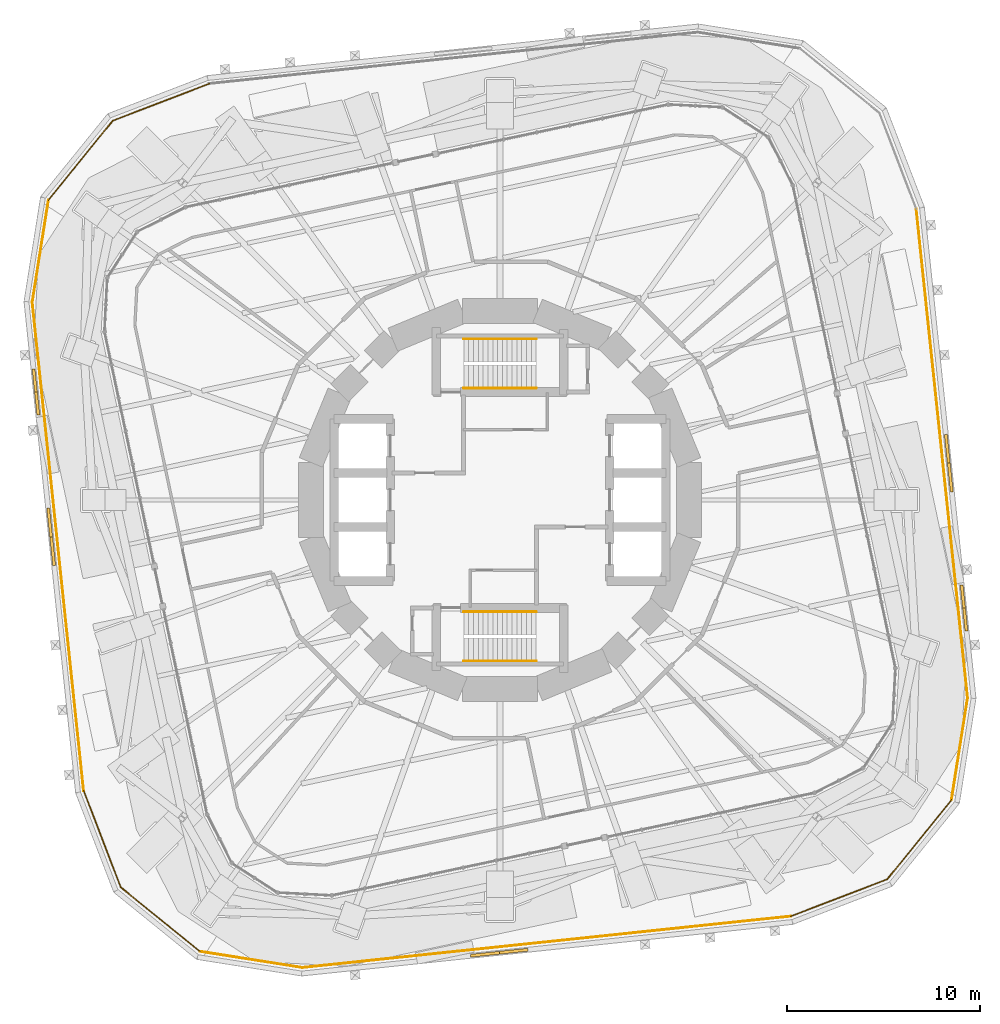
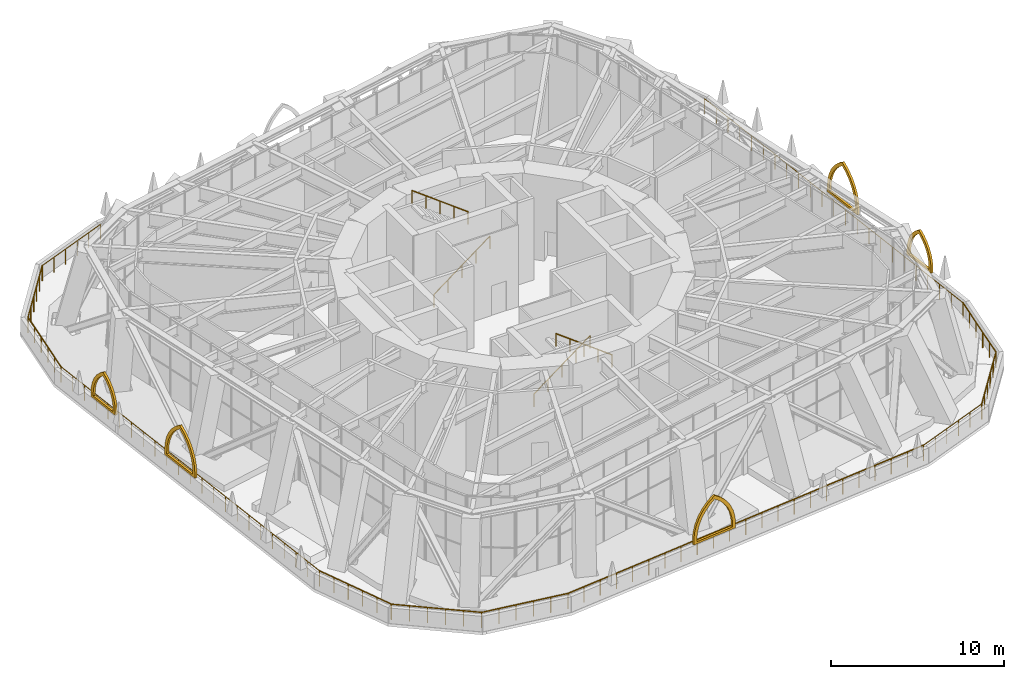
# One storey, part 18 of 23: 16 railings, 5 shading devices.
"""IFC4 building model written with IfcOpenShell, lengths in metres."""

import ifcopenshell
import ifcopenshell.guid

model = None  # the IFC model being written
_history = None  # IfcOwnerHistory: only IFC2X3 demands one
_inside = {}  # id of a spatial element -> (the spatial element, [elements in it])
_under = {}  # id of a project, library or spatial element -> (it, [spatial elements below it])
_declared = {}  # id of a project -> (the project, [libraries it declares])
_typed = {}  # id of a type object -> (the type object, [elements of that type])
_made_of = {}  # id of a material, layer set ... -> (it, [elements and type objects made of it])


def new_model(schema):
    """Start an empty IFC model of exactly this schema.

    Asked for "IFC4X3", IfcOpenShell would pick the latest addendum, in which some entities
    have other attributes; the version numbers below select the first issue.
    IFC2X3 requires an IfcOwnerHistory on every rooted entity: one is made here for all.
    """
    global model, _history
    if schema == "IFC4X3":
        model = ifcopenshell.file(schema_version=(4, 3, 0, 0))
    else:
        model = ifcopenshell.file(schema=schema)
    _inside.clear()
    _under.clear()
    _declared.clear()
    _typed.clear()
    _made_of.clear()
    _history = None
    if model.schema == "IFC2X3":
        org = make("IfcOrganization", Name="unknown")
        user = make(
            "IfcPersonAndOrganization",
            ThePerson=make("IfcPerson", FamilyName="unknown"),
            TheOrganization=org,
        )
        app = make(
            "IfcApplication",
            ApplicationDeveloper=org,
            Version="unknown",
            ApplicationFullName="unknown",
            ApplicationIdentifier="unknown",
        )
        _history = make(
            "IfcOwnerHistory",
            OwningUser=user,
            OwningApplication=app,
            ChangeAction="ADDED",
            CreationDate=0,
        )
    return model


def make(cls, **values):
    """One entity of the class cls with the attributes given. An attribute that is None is left unset."""
    return model.create_entity(
        cls, **{name: value for name, value in values.items() if value is not None}
    )


def rooted(cls, **values):
    """An entity with a GlobalId (a new one), such as an element, a storey or a relation."""
    return make(cls, GlobalId=ifcopenshell.guid.new(), OwnerHistory=_history, **values)


def si_unit(unit_type, name, prefix=None):
    """IfcSIUnit, for example si_unit("LENGTHUNIT", "METRE", prefix="MILLI")."""
    return make("IfcSIUnit", UnitType=unit_type, Prefix=prefix, Name=name)


def assignment(units):
    """IfcUnitAssignment: the units of a project."""
    return None if units is None else make("IfcUnitAssignment", Units=units)


def point(xyz):
    """IfcCartesianPoint."""
    return None if xyz is None else make("IfcCartesianPoint", Coordinates=xyz)


def direction(xyz):
    """IfcDirection."""
    return None if xyz is None else make("IfcDirection", DirectionRatios=xyz)


def frame(location, z_axis=None, x_axis=None):
    """IfcAxis2Placement3D, a coordinate frame: its origin and axes. An axis left out is left unset."""
    return make(
        "IfcAxis2Placement3D",
        Location=point(location),
        Axis=direction(z_axis),
        RefDirection=direction(x_axis),
    )


def frame_2d(location, x_axis=None):
    """IfcAxis2Placement2D, a coordinate frame in the plane: its origin and x axis."""
    return make(
        "IfcAxis2Placement2D", Location=point(location), RefDirection=direction(x_axis)
    )


def origin():
    """The frame at (0, 0, 0) with its axes left unset."""
    return frame((0.0, 0.0, 0.0))


def origin_2d():
    """The frame at (0, 0) in the plane with its x axis left unset."""
    return frame_2d((0.0, 0.0))


def place(relative_to, where):
    """IfcLocalPlacement: puts the frame where relative to a parent placement (None: the world)."""
    return make(
        "IfcLocalPlacement", PlacementRelTo=relative_to, RelativePlacement=where
    )


def context(
    kind, dimensions, precision=None, world=None, true_north=None, identifier=None
):
    """IfcGeometricRepresentationContext, for example the 3D "Model" context."""
    return make(
        "IfcGeometricRepresentationContext",
        ContextIdentifier=identifier,
        ContextType=kind,
        CoordinateSpaceDimension=dimensions,
        Precision=precision,
        WorldCoordinateSystem=world,
        TrueNorth=true_north,
    )


def subcontext(parent, identifier, kind, view, scale=None):
    """IfcGeometricRepresentationSubContext, for example "Body" below "Model"."""
    return make(
        "IfcGeometricRepresentationSubContext",
        ContextIdentifier=identifier,
        ContextType=kind,
        ParentContext=parent,
        TargetScale=scale,
        TargetView=view,
    )


def project(units=None, contexts=None):
    """IfcProject with its units and contexts."""
    return rooted(
        "IfcProject",
        Name="project",
        RepresentationContexts=contexts,
        UnitsInContext=assignment(units),
    )


def spatial(cls, under=None, at=None, **own):
    """A site, building, storey or space (cls), placed at a placement, below another one or the project."""
    s = rooted(cls, ObjectPlacement=at, **own)
    if under is not None:
        _under.setdefault(under.id(), (under, []))[1].append(s)
    return s


def polyline(points):
    """IfcPolyline through the points."""
    return make("IfcPolyline", Points=[point(p) for p in points])


def profile(cls, at=None, kind="AREA", **sizes):
    """A parametric profile (cls). Its sizes go by their IFC names, for example OverallWidth=200.0."""
    return make(cls, ProfileType=kind, Position=at, **sizes)


def circle(**sizes):
    """IfcCircleProfileDef."""
    return profile("IfcCircleProfileDef", **sizes)


def outline(outer, holes=None, kind="AREA"):
    """IfcArbitraryClosedProfileDef: a profile drawn as a closed curve; with holes, ...WithVoids."""
    if holes is None:
        return make("IfcArbitraryClosedProfileDef", ProfileType=kind, OuterCurve=outer)
    return make(
        "IfcArbitraryProfileDefWithVoids",
        ProfileType=kind,
        OuterCurve=outer,
        InnerCurves=holes,
    )


def extrude(swept, where, along, depth):
    """IfcExtrudedAreaSolid: the profile swept, set in the frame where, extruded along a direction by depth."""
    return make(
        "IfcExtrudedAreaSolid",
        SweptArea=swept,
        Position=where,
        ExtrudedDirection=direction(along),
        Depth=depth,
    )


def shape(context_of_items, identifier, shape_type, items):
    """IfcShapeRepresentation: the items that make up one representation, for example the "Body"."""
    return make(
        "IfcShapeRepresentation",
        ContextOfItems=context_of_items,
        RepresentationIdentifier=identifier,
        RepresentationType=shape_type,
        Items=items,
    )


def material(Name=None, Category=None):
    """IfcMaterial."""
    return make("IfcMaterial", Name=Name, Category=Category)


def made_of(thing, what):
    """Note that an element or type object is made of a material, layer set ...; save() writes the relation."""
    if what is not None:
        _made_of.setdefault(what.id(), (what, []))[1].append(thing)
    return thing


def type_object(cls, material=None, **own):
    """A type object (cls), such as IfcWallType, which elements share."""
    return made_of(rooted(cls, **own), material)


def element(
    cls,
    number,
    at=None,
    inside=None,
    cuts=None,
    type_object=None,
    material=None,
    context=None,
    identifier="Body",
    shape_type=None,
    held_by="IfcProductDefinitionShape",
    body=None,
    shapes=None,
    **own,
):
    """One element of the class cls, such as IfcWall. Its Tag is "e" and its number.

    at: its placement. inside: the storey or other place that contains it. cuts: it is an
    opening in that element (IfcRelVoidsElement). A single representation is given by context,
    identifier, shape_type and body (its items); several are given by shapes. held_by: the class
    of the entity that holds the representations. save() writes the other relations.
    """
    e = rooted(cls, Tag="e%d" % number, ObjectPlacement=at, **own)
    if body is not None:
        shapes = [shape(context, identifier, shape_type, body)]
    if shapes is not None:
        e.Representation = make(held_by, Representations=shapes)
    if inside is not None:
        _inside.setdefault(inside.id(), (inside, []))[1].append(e)
    if cuts is not None:
        rooted(
            "IfcRelVoidsElement", RelatingBuildingElement=cuts, RelatedOpeningElement=e
        )
    if type_object is not None:
        _typed.setdefault(type_object.id(), (type_object, []))[1].append(e)
    return made_of(e, material)


def aggregate(whole, parts):
    """IfcRelAggregates: a whole, such as a stair, and the parts it consists of."""
    return rooted("IfcRelAggregates", RelatingObject=whole, RelatedObjects=parts)


def save(model, path):
    """Write the relations noted so far, then the file.

    IfcRelAggregates (storeys below a building ...), IfcRelContainedInSpatialStructure (elements
    in a storey), IfcRelDefinesByType, IfcRelAssociatesMaterial and IfcRelDeclares: one each for
    every whole, place, type object, material and project.
    """
    for whole, parts in _under.values():
        aggregate(whole, parts)
    for where, things in _inside.values():
        rooted(
            "IfcRelContainedInSpatialStructure",
            RelatedElements=things,
            RelatingStructure=where,
        )
    for kind, things in _typed.values():
        rooted("IfcRelDefinesByType", RelatedObjects=things, RelatingType=kind)
    for what, things in _made_of.values():
        rooted("IfcRelAssociatesMaterial", RelatedObjects=things, RelatingMaterial=what)
    for by, libraries in _declared.values():
        rooted("IfcRelDeclares", RelatingContext=by, RelatedDefinitions=libraries)
    model.write(path)


model = new_model("IFC4")

# Units and contexts
model_context = context("Model", 3, precision=1e-05, world=origin(), true_north=direction((0.0, 1.0)))
body_context = subcontext(model_context, "Body", "Model", "MODEL_VIEW")
ifc_project = project(units=[si_unit("LENGTHUNIT", "METRE"), si_unit("AREAUNIT", "SQUARE_METRE"), si_unit("VOLUMEUNIT", "CUBIC_METRE"), si_unit("PLANEANGLEUNIT", "RADIAN"), si_unit("MASSUNIT", "GRAM", prefix="KILO")], contexts=[model_context])

# Site, building, storey
site_placement = place(None, origin())
site = spatial("IfcSite", under=ifc_project, at=site_placement, CompositionType="ELEMENT")
building_placement = place(site_placement, origin())
building = spatial("IfcBuilding", under=site, at=building_placement, Name="Nakasero Lantern House", CompositionType="ELEMENT")
storey_placement = place(building_placement, frame((0.0, 0.0, 95.14990234375)))
storey = spatial("IfcBuildingStorey", under=building, at=storey_placement, Name="L23", CompositionType="ELEMENT", Elevation=95.14990234375)

# Shading devices
ifc_material_1 = material(Name="Aluminium 6063-T6", Category="aluminium")
shading_device_type_1 = type_object("IfcShadingDeviceType", Name="Lancet screen 2400", PredefinedType="USERDEFINED", material=ifc_material_1)
for number, where, z_axis, x_axis, name in (
    (1, (24.067626953125, -5.603759765625, 1.10009765625), (0.0, 0.0, 1.0), (-0.104528463, 0.994521895, 0.0), "Tracery screen L23 0-00"),
    (2, (-24.067626953125, 5.603759765625, 1.10009765625), (0.0, 0.0, 1.0), (0.104528463, -0.994521895, 0.0), "Tracery screen L23 2-00"),
):
    element("IfcShadingDevice", number, at=place(storey_placement, frame(where, z_axis=z_axis, x_axis=x_axis)), inside=storey, type_object=shading_device_type_1, Name=name, ObjectType="LANCET SCREEN", PredefinedType="USERDEFINED", context=body_context, shape_type="SweptSolid", body=[
        extrude(outline(polyline([(-1.199951171875, 0.0), (1.199951171875, 0.0), (1.199951171875, 0.300048828125), (1.16357421875, 0.716796875), (1.05517578125, 1.120849609375), (0.87841796875, 1.5), (0.638427734375, 1.8427734375), (0.3427734375, 2.138427734375), (0.0, 2.37841796875), (-0.3427734375, 2.138427734375), (-0.638427734375, 1.8427734375), (-0.87841796875, 1.5), (-1.05517578125, 1.120849609375), (-1.16357421875, 0.716796875), (-1.199951171875, 0.300048828125), (-1.199951171875, 0.0)]), holes=[polyline([(-0.97998046875, 0.14990234375), (0.97998046875, 0.14990234375), (0.97998046875, 0.300048828125), (0.950439453125, 0.6572265625), (0.86279296875, 1.0048828125), (0.719482421875, 1.33349609375), (0.524169921875, 1.63427734375), (0.281982421875, 1.898681640625), (0.0, 2.1201171875), (-0.281982421875, 1.898681640625), (-0.524169921875, 1.63427734375), (-0.719482421875, 1.33349609375), (-0.86279296875, 1.0048828125), (-0.950439453125, 0.6572265625), (-0.97998046875, 0.300048828125), (-0.97998046875, 0.14990234375)])]), frame((0.0, 0.074951171875, 0.0), z_axis=(0.0, -1.0, 0.0), x_axis=(1.0, 0.0, 0.0)), (0.0, 0.0, 1.0), 0.14990234375),
    ])
ifc_material_2 = material(Name="Aluminium 6063-T6", Category="aluminium")
shading_device_type_2 = type_object("IfcShadingDeviceType", Name="Lancet screen 3000", PredefinedType="USERDEFINED", material=ifc_material_2)
for number, where, z_axis, x_axis, name in (
    (3, (23.27734375, 1.91455078125, 1.10009765625), (0.0, 0.0, 1.0), (-0.104528463, 0.994521895, 0.0), "Tracery screen L23 0-01"),
    (4, (-23.27734375, -1.91455078125, 1.10009765625), (0.0, 0.0, 1.0), (0.104528463, -0.994521895, 0.0), "Tracery screen L23 2-01"),
    (5, (-0.035400390625, -23.482421875, 1.10009765625), (0.0, 0.0, 1.0), (0.994521895, 0.104528463, 0.0), "Tracery screen L23 3-00"),
):
    element("IfcShadingDevice", number, at=place(storey_placement, frame(where, z_axis=z_axis, x_axis=x_axis)), inside=storey, type_object=shading_device_type_2, Name=name, ObjectType="LANCET SCREEN", PredefinedType="USERDEFINED", context=body_context, shape_type="SweptSolid", body=[
        extrude(outline(polyline([(-1.5, 0.0), (1.5, 0.0), (1.5, 0.300048828125), (1.454345703125, 0.821044921875), (1.319091796875, 1.326171875), (1.09814453125, 1.800048828125), (0.798095703125, 2.228271484375), (0.428466796875, 2.59814453125), (0.0, 2.898193359375), (-0.428466796875, 2.59814453125), (-0.798095703125, 2.228271484375), (-1.09814453125, 1.800048828125), (-1.319091796875, 1.326171875), (-1.454345703125, 0.821044921875), (-1.5, 0.300048828125), (-1.5, 0.0)]), holes=[polyline([(-1.280029296875, 0.14990234375), (1.280029296875, 0.14990234375), (1.280029296875, 0.300048828125), (1.241455078125, 0.761474609375), (1.126708984375, 1.21044921875), (0.939208984375, 1.6337890625), (0.683837890625, 2.020263671875), (0.367919921875, 2.359130859375), (0.0, 2.640625), (-0.367919921875, 2.359130859375), (-0.683837890625, 2.020263671875), (-0.939208984375, 1.6337890625), (-1.126708984375, 1.21044921875), (-1.241455078125, 0.761474609375), (-1.280029296875, 0.300048828125), (-1.280029296875, 0.14990234375)])]), frame((0.0, 0.074951171875, 0.0), z_axis=(0.0, -1.0, 0.0), x_axis=(1.0, 0.0, 0.0)), (0.0, 0.0, 1.0), 0.14990234375),
    ])

# Railings
ifc_material_3 = material(Name="Aluminium 6063-T6", Category="aluminium")
railing_type_1 = type_object("IfcRailingType", Name="Sky garden guard 1100", PredefinedType="GUARDRAIL", material=ifc_material_3)
railing_1_placement = place(storey_placement, frame((-24.255615234375, 10.261474609375, 0.0)))
element("IfcRailing", 6, at=railing_1_placement, inside=storey, type_object=railing_type_1, Name="Sky garden guard L23 1", PredefinedType="GUARDRAIL", context=body_context, shape_type="SweptSolid", body=[
    extrude(circle(Radius=0.02392578125, at=origin_2d()), frame((0.0, 0.0, 1.076171875), z_axis=(0.156444479459, 0.987686754415, 0.0), x_axis=(-0.987686754415, 0.156444479459, 0.0)), (0.0, 0.0, 1.0), 5.35888671875),
    extrude(circle(Radius=0.02099609375, at=origin_2d()), origin(), (0.0, 0.0, 1.0), 1.052001953125),
    extrude(circle(Radius=0.02099609375, at=origin_2d()), frame((0.167724609375, 1.05859375, 0.0)), (0.0, 0.0, 1.0), 1.052001953125),
    extrude(circle(Radius=0.02099609375, at=origin_2d()), frame((0.33544921875, 2.1171875, 0.0)), (0.0, 0.0, 1.0), 1.052001953125),
    extrude(circle(Radius=0.02099609375, at=origin_2d()), frame((0.5029296875, 3.17578125, 0.0)), (0.0, 0.0, 1.0), 1.052001953125),
    extrude(circle(Radius=0.02099609375, at=origin_2d()), frame((0.670654296875, 4.234375, 0.0)), (0.0, 0.0, 1.0), 1.052001953125),
    extrude(circle(Radius=0.02099609375, at=origin_2d()), frame((0.83837890625, 5.29296875, 0.0)), (0.0, 0.0, 1.0), 1.052001953125),
])
railing_2_placement = place(storey_placement, frame((-23.417236328125, 15.554443359375, 0.0)))
element("IfcRailing", 7, at=railing_2_placement, inside=storey, type_object=railing_type_1, Name="Sky garden guard L23 2", PredefinedType="GUARDRAIL", context=body_context, shape_type="SweptSolid", body=[
    extrude(circle(Radius=0.02392578125, at=origin_2d()), frame((0.0, 0.0, 1.076171875), z_axis=(0.629337420675, 0.777132170829, 0.0), x_axis=(-0.777132170829, 0.629337420675, 0.0)), (0.0, 0.0, 1.0), 5.297607421875),
    extrude(circle(Radius=0.02099609375, at=origin_2d()), origin(), (0.0, 0.0, 1.0), 1.052001953125),
    extrude(circle(Radius=0.02099609375, at=origin_2d()), frame((0.666748046875, 0.823486328125, 0.0)), (0.0, 0.0, 1.0), 1.052001953125),
    extrude(circle(Radius=0.02099609375, at=origin_2d()), frame((1.33349609375, 1.646728515625, 0.0)), (0.0, 0.0, 1.0), 1.052001953125),
    extrude(circle(Radius=0.02099609375, at=origin_2d()), frame((2.00048828125, 2.47021484375, 0.0)), (0.0, 0.0, 1.0), 1.052001953125),
    extrude(circle(Radius=0.02099609375, at=origin_2d()), frame((2.667236328125, 3.29345703125, 0.0)), (0.0, 0.0, 1.0), 1.052001953125),
    extrude(circle(Radius=0.02099609375, at=origin_2d()), frame((3.333984375, 4.116943359375, 0.0)), (0.0, 0.0, 1.0), 1.052001953125),
])
railing_3_placement = place(storey_placement, frame((-21.592041015625, -15.080322265625, 0.0)))
element("IfcRailing", 8, at=railing_3_placement, inside=storey, type_object=railing_type_1, Name="Sky garden guard L23 3", PredefinedType="GUARDRAIL", context=body_context, shape_type="SweptSolid", body=[
    extrude(circle(Radius=0.02392578125, at=origin_2d()), frame((0.0, 0.0, 1.076171875), z_axis=(-0.104530172624, 0.994521715706, 0.0), x_axis=(-0.994521715706, -0.104530172624, 0.0)), (0.0, 0.0, 1.0), 25.4814453125),
    extrude(circle(Radius=0.02099609375, at=origin_2d()), origin(), (0.0, 0.0, 1.0), 1.052001953125),
    extrude(circle(Radius=0.02099609375, at=origin_2d()), frame((-0.12109375, 1.15185546875, 0.0)), (0.0, 0.0, 1.0), 1.052001953125),
    extrude(circle(Radius=0.02099609375, at=origin_2d()), frame((-0.2421875, 2.3037109375, 0.0)), (0.0, 0.0, 1.0), 1.052001953125),
    extrude(circle(Radius=0.02099609375, at=origin_2d()), frame((-0.36328125, 3.455810546875, 0.0)), (0.0, 0.0, 1.0), 1.052001953125),
    extrude(circle(Radius=0.02099609375, at=origin_2d()), frame((-0.484375, 4.607666015625, 0.0)), (0.0, 0.0, 1.0), 1.052001953125),
    extrude(circle(Radius=0.02099609375, at=origin_2d()), frame((-0.60546875, 5.759521484375, 0.0)), (0.0, 0.0, 1.0), 1.052001953125),
    extrude(circle(Radius=0.02099609375, at=origin_2d()), frame((-0.726318359375, 6.911376953125, 0.0)), (0.0, 0.0, 1.0), 1.052001953125),
    extrude(circle(Radius=0.02099609375, at=origin_2d()), frame((-0.847412109375, 8.063232421875, 0.0)), (0.0, 0.0, 1.0), 1.052001953125),
    extrude(circle(Radius=0.02099609375, at=origin_2d()), frame((-0.968505859375, 9.215087890625, 0.0)), (0.0, 0.0, 1.0), 1.052001953125),
    extrude(circle(Radius=0.02099609375, at=origin_2d()), frame((-1.089599609375, 10.3671875, 0.0)), (0.0, 0.0, 1.0), 1.052001953125),
    extrude(circle(Radius=0.02099609375, at=origin_2d()), frame((-1.210693359375, 11.51904296875, 0.0)), (0.0, 0.0, 1.0), 1.052001953125),
    extrude(circle(Radius=0.02099609375, at=origin_2d()), frame((-1.331787109375, 12.6708984375, 0.0)), (0.0, 0.0, 1.0), 1.052001953125),
    extrude(circle(Radius=0.02099609375, at=origin_2d()), frame((-1.452880859375, 13.82275390625, 0.0)), (0.0, 0.0, 1.0), 1.052001953125),
    extrude(circle(Radius=0.02099609375, at=origin_2d()), frame((-1.573974609375, 14.974609375, 0.0)), (0.0, 0.0, 1.0), 1.052001953125),
    extrude(circle(Radius=0.02099609375, at=origin_2d()), frame((-1.695068359375, 16.126708984375, 0.0)), (0.0, 0.0, 1.0), 1.052001953125),
    extrude(circle(Radius=0.02099609375, at=origin_2d()), frame((-1.816162109375, 17.278564453125, 0.0)), (0.0, 0.0, 1.0), 1.052001953125),
    extrude(circle(Radius=0.02099609375, at=origin_2d()), frame((-1.937255859375, 18.430419921875, 0.0)), (0.0, 0.0, 1.0), 1.052001953125),
    extrude(circle(Radius=0.02099609375, at=origin_2d()), frame((-2.05810546875, 19.582275390625, 0.0)), (0.0, 0.0, 1.0), 1.052001953125),
    extrude(circle(Radius=0.02099609375, at=origin_2d()), frame((-2.17919921875, 20.734130859375, 0.0)), (0.0, 0.0, 1.0), 1.052001953125),
    extrude(circle(Radius=0.02099609375, at=origin_2d()), frame((-2.30029296875, 21.885986328125, 0.0)), (0.0, 0.0, 1.0), 1.052001953125),
    extrude(circle(Radius=0.02099609375, at=origin_2d()), frame((-2.42138671875, 23.0380859375, 0.0)), (0.0, 0.0, 1.0), 1.052001953125),
    extrude(circle(Radius=0.02099609375, at=origin_2d()), frame((-2.54248046875, 24.18994140625, 0.0)), (0.0, 0.0, 1.0), 1.052001953125),
    extrude(circle(Radius=0.02099609375, at=origin_2d()), frame((-2.66357421875, 25.341796875, 0.0)), (0.0, 0.0, 1.0), 1.052001953125),
])
railing_4_placement = place(storey_placement, frame((-20.083251953125, 19.67138671875, 0.0)))
element("IfcRailing", 9, at=railing_4_placement, inside=storey, type_object=railing_type_1, Name="Sky garden guard L23 4", PredefinedType="GUARDRAIL", context=body_context, shape_type="SweptSolid", body=[
    extrude(circle(Radius=0.02392578125, at=origin_2d()), frame((0.0, 0.0, 1.076171875), z_axis=(0.933567345274, 0.358402025438, 0.0), x_axis=(-0.358402025438, 0.933567345274, 0.0)), (0.0, 0.0, 1.0), 5.35888671875),
    extrude(circle(Radius=0.02099609375, at=origin_2d()), origin(), (0.0, 0.0, 1.0), 1.052001953125),
    extrude(circle(Radius=0.02099609375, at=origin_2d()), frame((1.00048828125, 0.384033203125, 0.0)), (0.0, 0.0, 1.0), 1.052001953125),
    extrude(circle(Radius=0.02099609375, at=origin_2d()), frame((2.001220703125, 0.768310546875, 0.0)), (0.0, 0.0, 1.0), 1.052001953125),
    extrude(circle(Radius=0.02099609375, at=origin_2d()), frame((3.001708984375, 1.15234375, 0.0)), (0.0, 0.0, 1.0), 1.052001953125),
    extrude(circle(Radius=0.02099609375, at=origin_2d()), frame((4.00244140625, 1.53662109375, 0.0)), (0.0, 0.0, 1.0), 1.052001953125),
    extrude(circle(Radius=0.02099609375, at=origin_2d()), frame((5.0029296875, 1.920654296875, 0.0)), (0.0, 0.0, 1.0), 1.052001953125),
])
railing_5_placement = place(storey_placement, frame((-19.67138671875, -20.083251953125, 0.0)))
element("IfcRailing", 10, at=railing_5_placement, inside=storey, type_object=railing_type_1, Name="Sky garden guard L23 5", PredefinedType="GUARDRAIL", context=body_context, shape_type="SweptSolid", body=[
    extrude(circle(Radius=0.02392578125, at=origin_2d()), frame((0.0, 0.0, 1.076171875), z_axis=(-0.358402025438, 0.933567345274, 0.0), x_axis=(-0.933567345274, -0.358402025438, 0.0)), (0.0, 0.0, 1.0), 5.35888671875),
    extrude(circle(Radius=0.02099609375, at=origin_2d()), origin(), (0.0, 0.0, 1.0), 1.052001953125),
    extrude(circle(Radius=0.02099609375, at=origin_2d()), frame((-0.384033203125, 1.00048828125, 0.0)), (0.0, 0.0, 1.0), 1.052001953125),
    extrude(circle(Radius=0.02099609375, at=origin_2d()), frame((-0.768310546875, 2.001220703125, 0.0)), (0.0, 0.0, 1.0), 1.052001953125),
    extrude(circle(Radius=0.02099609375, at=origin_2d()), frame((-1.15234375, 3.001708984375, 0.0)), (0.0, 0.0, 1.0), 1.052001953125),
    extrude(circle(Radius=0.02099609375, at=origin_2d()), frame((-1.53662109375, 4.00244140625, 0.0)), (0.0, 0.0, 1.0), 1.052001953125),
    extrude(circle(Radius=0.02099609375, at=origin_2d()), frame((-1.920654296875, 5.0029296875, 0.0)), (0.0, 0.0, 1.0), 1.052001953125),
])
railing_6_placement = place(storey_placement, frame((-15.554443359375, -23.417236328125, 0.0)))
element("IfcRailing", 11, at=railing_6_placement, inside=storey, type_object=railing_type_1, Name="Sky garden guard L23 6", PredefinedType="GUARDRAIL", context=body_context, shape_type="SweptSolid", body=[
    extrude(circle(Radius=0.02392578125, at=origin_2d()), frame((0.0, 0.0, 1.076171875), z_axis=(-0.777132170829, 0.629337420675, 0.0), x_axis=(-0.629337420675, -0.777132170829, 0.0)), (0.0, 0.0, 1.0), 5.297607421875),
    extrude(circle(Radius=0.02099609375, at=origin_2d()), origin(), (0.0, 0.0, 1.0), 1.052001953125),
    extrude(circle(Radius=0.02099609375, at=origin_2d()), frame((-0.823486328125, 0.666748046875, 0.0)), (0.0, 0.0, 1.0), 1.052001953125),
    extrude(circle(Radius=0.02099609375, at=origin_2d()), frame((-1.646728515625, 1.33349609375, 0.0)), (0.0, 0.0, 1.0), 1.052001953125),
    extrude(circle(Radius=0.02099609375, at=origin_2d()), frame((-2.47021484375, 2.00048828125, 0.0)), (0.0, 0.0, 1.0), 1.052001953125),
    extrude(circle(Radius=0.02099609375, at=origin_2d()), frame((-3.29345703125, 2.667236328125, 0.0)), (0.0, 0.0, 1.0), 1.052001953125),
    extrude(circle(Radius=0.02099609375, at=origin_2d()), frame((-4.116943359375, 3.333984375, 0.0)), (0.0, 0.0, 1.0), 1.052001953125),
])
railing_7_placement = place(storey_placement, frame((-10.261474609375, -24.255615234375, 0.0)))
element("IfcRailing", 12, at=railing_7_placement, inside=storey, type_object=railing_type_1, Name="Sky garden guard L23 8", PredefinedType="GUARDRAIL", context=body_context, shape_type="SweptSolid", body=[
    extrude(circle(Radius=0.02392578125, at=origin_2d()), frame((0.0, 0.0, 1.076171875), z_axis=(-0.987686754415, 0.156444479459, 0.0), x_axis=(-0.156444479459, -0.987686754415, 0.0)), (0.0, 0.0, 1.0), 5.35888671875),
    extrude(circle(Radius=0.02099609375, at=origin_2d()), origin(), (0.0, 0.0, 1.0), 1.052001953125),
    extrude(circle(Radius=0.02099609375, at=origin_2d()), frame((-1.05859375, 0.167724609375, 0.0)), (0.0, 0.0, 1.0), 1.052001953125),
    extrude(circle(Radius=0.02099609375, at=origin_2d()), frame((-2.1171875, 0.33544921875, 0.0)), (0.0, 0.0, 1.0), 1.052001953125),
    extrude(circle(Radius=0.02099609375, at=origin_2d()), frame((-3.17578125, 0.5029296875, 0.0)), (0.0, 0.0, 1.0), 1.052001953125),
    extrude(circle(Radius=0.02099609375, at=origin_2d()), frame((-4.234375, 0.670654296875, 0.0)), (0.0, 0.0, 1.0), 1.052001953125),
    extrude(circle(Radius=0.02099609375, at=origin_2d()), frame((-5.29296875, 0.83837890625, 0.0)), (0.0, 0.0, 1.0), 1.052001953125),
])
railing_8_placement = place(storey_placement, frame((15.080322265625, -21.592041015625, 0.0)))
element("IfcRailing", 13, at=railing_8_placement, inside=storey, type_object=railing_type_1, Name="Sky garden guard L23 10", PredefinedType="GUARDRAIL", context=body_context, shape_type="SweptSolid", body=[
    extrude(circle(Radius=0.02392578125, at=origin_2d()), frame((0.0, 0.0, 1.076171875), z_axis=(-0.994521715706, -0.104530172624, 0.0), x_axis=(0.104530172624, -0.994521715706, 0.0)), (0.0, 0.0, 1.0), 25.4814453125),
    extrude(circle(Radius=0.02099609375, at=origin_2d()), origin(), (0.0, 0.0, 1.0), 1.052001953125),
    extrude(circle(Radius=0.02099609375, at=origin_2d()), frame((-1.15185546875, -0.12109375, 0.0)), (0.0, 0.0, 1.0), 1.052001953125),
    extrude(circle(Radius=0.02099609375, at=origin_2d()), frame((-2.3037109375, -0.2421875, 0.0)), (0.0, 0.0, 1.0), 1.052001953125),
    extrude(circle(Radius=0.02099609375, at=origin_2d()), frame((-3.455810546875, -0.36328125, 0.0)), (0.0, 0.0, 1.0), 1.052001953125),
    extrude(circle(Radius=0.02099609375, at=origin_2d()), frame((-4.607666015625, -0.484375, 0.0)), (0.0, 0.0, 1.0), 1.052001953125),
    extrude(circle(Radius=0.02099609375, at=origin_2d()), frame((-5.759521484375, -0.60546875, 0.0)), (0.0, 0.0, 1.0), 1.052001953125),
    extrude(circle(Radius=0.02099609375, at=origin_2d()), frame((-6.911376953125, -0.726318359375, 0.0)), (0.0, 0.0, 1.0), 1.052001953125),
    extrude(circle(Radius=0.02099609375, at=origin_2d()), frame((-8.063232421875, -0.847412109375, 0.0)), (0.0, 0.0, 1.0), 1.052001953125),
    extrude(circle(Radius=0.02099609375, at=origin_2d()), frame((-9.215087890625, -0.968505859375, 0.0)), (0.0, 0.0, 1.0), 1.052001953125),
    extrude(circle(Radius=0.02099609375, at=origin_2d()), frame((-10.3671875, -1.089599609375, 0.0)), (0.0, 0.0, 1.0), 1.052001953125),
    extrude(circle(Radius=0.02099609375, at=origin_2d()), frame((-11.51904296875, -1.210693359375, 0.0)), (0.0, 0.0, 1.0), 1.052001953125),
    extrude(circle(Radius=0.02099609375, at=origin_2d()), frame((-12.6708984375, -1.331787109375, 0.0)), (0.0, 0.0, 1.0), 1.052001953125),
    extrude(circle(Radius=0.02099609375, at=origin_2d()), frame((-13.82275390625, -1.452880859375, 0.0)), (0.0, 0.0, 1.0), 1.052001953125),
    extrude(circle(Radius=0.02099609375, at=origin_2d()), frame((-14.974609375, -1.573974609375, 0.0)), (0.0, 0.0, 1.0), 1.052001953125),
    extrude(circle(Radius=0.02099609375, at=origin_2d()), frame((-16.126708984375, -1.695068359375, 0.0)), (0.0, 0.0, 1.0), 1.052001953125),
    extrude(circle(Radius=0.02099609375, at=origin_2d()), frame((-17.278564453125, -1.816162109375, 0.0)), (0.0, 0.0, 1.0), 1.052001953125),
    extrude(circle(Radius=0.02099609375, at=origin_2d()), frame((-18.430419921875, -1.937255859375, 0.0)), (0.0, 0.0, 1.0), 1.052001953125),
    extrude(circle(Radius=0.02099609375, at=origin_2d()), frame((-19.582275390625, -2.05810546875, 0.0)), (0.0, 0.0, 1.0), 1.052001953125),
    extrude(circle(Radius=0.02099609375, at=origin_2d()), frame((-20.734130859375, -2.17919921875, 0.0)), (0.0, 0.0, 1.0), 1.052001953125),
    extrude(circle(Radius=0.02099609375, at=origin_2d()), frame((-21.885986328125, -2.30029296875, 0.0)), (0.0, 0.0, 1.0), 1.052001953125),
    extrude(circle(Radius=0.02099609375, at=origin_2d()), frame((-23.0380859375, -2.42138671875, 0.0)), (0.0, 0.0, 1.0), 1.052001953125),
    extrude(circle(Radius=0.02099609375, at=origin_2d()), frame((-24.18994140625, -2.54248046875, 0.0)), (0.0, 0.0, 1.0), 1.052001953125),
    extrude(circle(Radius=0.02099609375, at=origin_2d()), frame((-25.341796875, -2.66357421875, 0.0)), (0.0, 0.0, 1.0), 1.052001953125),
])
railing_9_placement = place(storey_placement, frame((20.083251953125, -19.67138671875, 0.0)))
element("IfcRailing", 14, at=railing_9_placement, inside=storey, type_object=railing_type_1, Name="Sky garden guard L23 13", PredefinedType="GUARDRAIL", context=body_context, shape_type="SweptSolid", body=[
    extrude(circle(Radius=0.02392578125, at=origin_2d()), frame((0.0, 0.0, 1.076171875), z_axis=(-0.933567345274, -0.358402025438, 0.0), x_axis=(0.358402025438, -0.933567345274, 0.0)), (0.0, 0.0, 1.0), 5.35888671875),
    extrude(circle(Radius=0.02099609375, at=origin_2d()), origin(), (0.0, 0.0, 1.0), 1.052001953125),
    extrude(circle(Radius=0.02099609375, at=origin_2d()), frame((-1.00048828125, -0.384033203125, 0.0)), (0.0, 0.0, 1.0), 1.052001953125),
    extrude(circle(Radius=0.02099609375, at=origin_2d()), frame((-2.001220703125, -0.768310546875, 0.0)), (0.0, 0.0, 1.0), 1.052001953125),
    extrude(circle(Radius=0.02099609375, at=origin_2d()), frame((-3.001708984375, -1.15234375, 0.0)), (0.0, 0.0, 1.0), 1.052001953125),
    extrude(circle(Radius=0.02099609375, at=origin_2d()), frame((-4.00244140625, -1.53662109375, 0.0)), (0.0, 0.0, 1.0), 1.052001953125),
    extrude(circle(Radius=0.02099609375, at=origin_2d()), frame((-5.0029296875, -1.920654296875, 0.0)), (0.0, 0.0, 1.0), 1.052001953125),
])
railing_10_placement = place(storey_placement, frame((21.592041015625, 15.080322265625, 0.0)))
element("IfcRailing", 15, at=railing_10_placement, inside=storey, type_object=railing_type_1, Name="Sky garden guard L23 14", PredefinedType="GUARDRAIL", context=body_context, shape_type="SweptSolid", body=[
    extrude(circle(Radius=0.02392578125, at=origin_2d()), frame((0.0, 0.0, 1.076171875), z_axis=(0.104530172624, -0.994521715706, 0.0), x_axis=(0.994521715706, 0.104530172624, 0.0)), (0.0, 0.0, 1.0), 25.4814453125),
    extrude(circle(Radius=0.02099609375, at=origin_2d()), origin(), (0.0, 0.0, 1.0), 1.052001953125),
    extrude(circle(Radius=0.02099609375, at=origin_2d()), frame((0.12109375, -1.15185546875, 0.0)), (0.0, 0.0, 1.0), 1.052001953125),
    extrude(circle(Radius=0.02099609375, at=origin_2d()), frame((0.2421875, -2.3037109375, 0.0)), (0.0, 0.0, 1.0), 1.052001953125),
    extrude(circle(Radius=0.02099609375, at=origin_2d()), frame((0.36328125, -3.455810546875, 0.0)), (0.0, 0.0, 1.0), 1.052001953125),
    extrude(circle(Radius=0.02099609375, at=origin_2d()), frame((0.484375, -4.607666015625, 0.0)), (0.0, 0.0, 1.0), 1.052001953125),
    extrude(circle(Radius=0.02099609375, at=origin_2d()), frame((0.60546875, -5.759521484375, 0.0)), (0.0, 0.0, 1.0), 1.052001953125),
    extrude(circle(Radius=0.02099609375, at=origin_2d()), frame((0.726318359375, -6.911376953125, 0.0)), (0.0, 0.0, 1.0), 1.052001953125),
    extrude(circle(Radius=0.02099609375, at=origin_2d()), frame((0.847412109375, -8.063232421875, 0.0)), (0.0, 0.0, 1.0), 1.052001953125),
    extrude(circle(Radius=0.02099609375, at=origin_2d()), frame((0.968505859375, -9.215087890625, 0.0)), (0.0, 0.0, 1.0), 1.052001953125),
    extrude(circle(Radius=0.02099609375, at=origin_2d()), frame((1.089599609375, -10.3671875, 0.0)), (0.0, 0.0, 1.0), 1.052001953125),
    extrude(circle(Radius=0.02099609375, at=origin_2d()), frame((1.210693359375, -11.51904296875, 0.0)), (0.0, 0.0, 1.0), 1.052001953125),
    extrude(circle(Radius=0.02099609375, at=origin_2d()), frame((1.331787109375, -12.6708984375, 0.0)), (0.0, 0.0, 1.0), 1.052001953125),
    extrude(circle(Radius=0.02099609375, at=origin_2d()), frame((1.452880859375, -13.82275390625, 0.0)), (0.0, 0.0, 1.0), 1.052001953125),
    extrude(circle(Radius=0.02099609375, at=origin_2d()), frame((1.573974609375, -14.974609375, 0.0)), (0.0, 0.0, 1.0), 1.052001953125),
    extrude(circle(Radius=0.02099609375, at=origin_2d()), frame((1.695068359375, -16.126708984375, 0.0)), (0.0, 0.0, 1.0), 1.052001953125),
    extrude(circle(Radius=0.02099609375, at=origin_2d()), frame((1.816162109375, -17.278564453125, 0.0)), (0.0, 0.0, 1.0), 1.052001953125),
    extrude(circle(Radius=0.02099609375, at=origin_2d()), frame((1.937255859375, -18.430419921875, 0.0)), (0.0, 0.0, 1.0), 1.052001953125),
    extrude(circle(Radius=0.02099609375, at=origin_2d()), frame((2.05810546875, -19.582275390625, 0.0)), (0.0, 0.0, 1.0), 1.052001953125),
    extrude(circle(Radius=0.02099609375, at=origin_2d()), frame((2.17919921875, -20.734130859375, 0.0)), (0.0, 0.0, 1.0), 1.052001953125),
    extrude(circle(Radius=0.02099609375, at=origin_2d()), frame((2.30029296875, -21.885986328125, 0.0)), (0.0, 0.0, 1.0), 1.052001953125),
    extrude(circle(Radius=0.02099609375, at=origin_2d()), frame((2.42138671875, -23.0380859375, 0.0)), (0.0, 0.0, 1.0), 1.052001953125),
    extrude(circle(Radius=0.02099609375, at=origin_2d()), frame((2.54248046875, -24.18994140625, 0.0)), (0.0, 0.0, 1.0), 1.052001953125),
    extrude(circle(Radius=0.02099609375, at=origin_2d()), frame((2.66357421875, -25.341796875, 0.0)), (0.0, 0.0, 1.0), 1.052001953125),
])
railing_11_placement = place(storey_placement, frame((23.417236328125, -15.554443359375, 0.0)))
element("IfcRailing", 16, at=railing_11_placement, inside=storey, type_object=railing_type_1, Name="Sky garden guard L23 15", PredefinedType="GUARDRAIL", context=body_context, shape_type="SweptSolid", body=[
    extrude(circle(Radius=0.02392578125, at=origin_2d()), frame((0.0, 0.0, 1.076171875), z_axis=(-0.629337420675, -0.777132170829, 0.0), x_axis=(0.777132170829, -0.629337420675, 0.0)), (0.0, 0.0, 1.0), 5.297607421875),
    extrude(circle(Radius=0.02099609375, at=origin_2d()), origin(), (0.0, 0.0, 1.0), 1.052001953125),
    extrude(circle(Radius=0.02099609375, at=origin_2d()), frame((-0.666748046875, -0.823486328125, 0.0)), (0.0, 0.0, 1.0), 1.052001953125),
    extrude(circle(Radius=0.02099609375, at=origin_2d()), frame((-1.33349609375, -1.646728515625, 0.0)), (0.0, 0.0, 1.0), 1.052001953125),
    extrude(circle(Radius=0.02099609375, at=origin_2d()), frame((-2.00048828125, -2.47021484375, 0.0)), (0.0, 0.0, 1.0), 1.052001953125),
    extrude(circle(Radius=0.02099609375, at=origin_2d()), frame((-2.667236328125, -3.29345703125, 0.0)), (0.0, 0.0, 1.0), 1.052001953125),
    extrude(circle(Radius=0.02099609375, at=origin_2d()), frame((-3.333984375, -4.116943359375, 0.0)), (0.0, 0.0, 1.0), 1.052001953125),
])
railing_12_placement = place(storey_placement, frame((24.255615234375, -10.261474609375, 0.0)))
element("IfcRailing", 17, at=railing_12_placement, inside=storey, type_object=railing_type_1, Name="Sky garden guard L23 16", PredefinedType="GUARDRAIL", context=body_context, shape_type="SweptSolid", body=[
    extrude(circle(Radius=0.02392578125, at=origin_2d()), frame((0.0, 0.0, 1.076171875), z_axis=(-0.156444479459, -0.987686754415, 0.0), x_axis=(0.987686754415, -0.156444479459, 0.0)), (0.0, 0.0, 1.0), 5.35888671875),
    extrude(circle(Radius=0.02099609375, at=origin_2d()), origin(), (0.0, 0.0, 1.0), 1.052001953125),
    extrude(circle(Radius=0.02099609375, at=origin_2d()), frame((-0.167724609375, -1.05859375, 0.0)), (0.0, 0.0, 1.0), 1.052001953125),
    extrude(circle(Radius=0.02099609375, at=origin_2d()), frame((-0.33544921875, -2.1171875, 0.0)), (0.0, 0.0, 1.0), 1.052001953125),
    extrude(circle(Radius=0.02099609375, at=origin_2d()), frame((-0.5029296875, -3.17578125, 0.0)), (0.0, 0.0, 1.0), 1.052001953125),
    extrude(circle(Radius=0.02099609375, at=origin_2d()), frame((-0.670654296875, -4.234375, 0.0)), (0.0, 0.0, 1.0), 1.052001953125),
    extrude(circle(Radius=0.02099609375, at=origin_2d()), frame((-0.83837890625, -5.29296875, 0.0)), (0.0, 0.0, 1.0), 1.052001953125),
])
ifc_material_4 = material(Name="Stainless steel 316", Category="steel")
railing_type_2 = type_object("IfcRailingType", Name="Stair handrail 900", PredefinedType="HANDRAIL", material=ifc_material_4)
railing_13_placement = place(storey_placement, frame((-1.875, 5.800048828125, 0.1875)))
element("IfcRailing", 18, at=railing_13_placement, inside=storey, type_object=railing_type_2, Name="Handrail ST1 L23 flight 1", PredefinedType="HANDRAIL", context=body_context, shape_type="SweptSolid", body=[
    extrude(circle(Radius=0.02392578125, at=origin_2d()), frame((0.0, 0.0, 0.8759765625), z_axis=(0.8, 0.0, 0.6), x_axis=(0.0, 1.0, 0.0)), (0.0, 0.0, 1.0), 4.6875),
    extrude(circle(Radius=0.02099609375, at=origin_2d()), origin(), (0.0, 0.0, 1.0), 0.851806640625),
    extrude(circle(Radius=0.02099609375, at=origin_2d()), frame((0.9375, 0.0, 0.703125)), (0.0, 0.0, 1.0), 0.851806640625),
    extrude(circle(Radius=0.02099609375, at=origin_2d()), frame((1.875, 0.0, 1.40625)), (0.0, 0.0, 1.0), 0.851806640625),
    extrude(circle(Radius=0.02099609375, at=origin_2d()), frame((2.8125, 0.0, 2.109375)), (0.0, 0.0, 1.0), 0.851806640625),
    extrude(circle(Radius=0.02099609375, at=origin_2d()), frame((3.75, 0.0, 2.8125)), (0.0, 0.0, 1.0), 0.851806640625),
])
railing_14_placement = place(storey_placement, frame((1.875, 8.35009765625, 3.1875)))
element("IfcRailing", 19, at=railing_14_placement, inside=storey, type_object=railing_type_2, Name="Handrail ST1 L23 flight 2", PredefinedType="HANDRAIL", context=body_context, shape_type="SweptSolid", body=[
    extrude(circle(Radius=0.02392578125, at=origin_2d()), frame((0.0, 0.0, 0.8759765625), z_axis=(-0.8, 0.0, 0.6), x_axis=(0.0, -1.0, 0.0)), (0.0, 0.0, 1.0), 4.6875),
    extrude(circle(Radius=0.02099609375, at=origin_2d()), origin(), (0.0, 0.0, 1.0), 0.851806640625),
    extrude(circle(Radius=0.02099609375, at=origin_2d()), frame((-0.9375, 0.0, 0.703125)), (0.0, 0.0, 1.0), 0.851806640625),
    extrude(circle(Radius=0.02099609375, at=origin_2d()), frame((-1.875, 0.0, 1.40625)), (0.0, 0.0, 1.0), 0.851806640625),
    extrude(circle(Radius=0.02099609375, at=origin_2d()), frame((-2.8125, 0.0, 2.109375)), (0.0, 0.0, 1.0), 0.851806640625),
    extrude(circle(Radius=0.02099609375, at=origin_2d()), frame((-3.75, 0.0, 2.8125)), (0.0, 0.0, 1.0), 0.851806640625),
])
railing_15_placement = place(storey_placement, frame((-1.875, -5.800048828125, 0.1875)))
element("IfcRailing", 20, at=railing_15_placement, inside=storey, type_object=railing_type_2, Name="Handrail ST2 L23 flight 1", PredefinedType="HANDRAIL", context=body_context, shape_type="SweptSolid", body=[
    extrude(circle(Radius=0.02392578125, at=origin_2d()), frame((0.0, 0.0, 0.8759765625), z_axis=(0.8, 0.0, 0.6), x_axis=(0.0, 1.0, 0.0)), (0.0, 0.0, 1.0), 4.6875),
    extrude(circle(Radius=0.02099609375, at=origin_2d()), origin(), (0.0, 0.0, 1.0), 0.851806640625),
    extrude(circle(Radius=0.02099609375, at=origin_2d()), frame((0.9375, 0.0, 0.703125)), (0.0, 0.0, 1.0), 0.851806640625),
    extrude(circle(Radius=0.02099609375, at=origin_2d()), frame((1.875, 0.0, 1.40625)), (0.0, 0.0, 1.0), 0.851806640625),
    extrude(circle(Radius=0.02099609375, at=origin_2d()), frame((2.8125, 0.0, 2.109375)), (0.0, 0.0, 1.0), 0.851806640625),
    extrude(circle(Radius=0.02099609375, at=origin_2d()), frame((3.75, 0.0, 2.8125)), (0.0, 0.0, 1.0), 0.851806640625),
])
railing_16_placement = place(storey_placement, frame((1.875, -8.35009765625, 3.1875)))
element("IfcRailing", 21, at=railing_16_placement, inside=storey, type_object=railing_type_2, Name="Handrail ST2 L23 flight 2", PredefinedType="HANDRAIL", context=body_context, shape_type="SweptSolid", body=[
    extrude(circle(Radius=0.02392578125, at=origin_2d()), frame((0.0, 0.0, 0.8759765625), z_axis=(-0.8, 0.0, 0.6), x_axis=(0.0, -1.0, 0.0)), (0.0, 0.0, 1.0), 4.6875),
    extrude(circle(Radius=0.02099609375, at=origin_2d()), origin(), (0.0, 0.0, 1.0), 0.851806640625),
    extrude(circle(Radius=0.02099609375, at=origin_2d()), frame((-0.9375, 0.0, 0.703125)), (0.0, 0.0, 1.0), 0.851806640625),
    extrude(circle(Radius=0.02099609375, at=origin_2d()), frame((-1.875, 0.0, 1.40625)), (0.0, 0.0, 1.0), 0.851806640625),
    extrude(circle(Radius=0.02099609375, at=origin_2d()), frame((-2.8125, 0.0, 2.109375)), (0.0, 0.0, 1.0), 0.851806640625),
    extrude(circle(Radius=0.02099609375, at=origin_2d()), frame((-3.75, 0.0, 2.8125)), (0.0, 0.0, 1.0), 0.851806640625),
])

save(model, "model.ifc")
